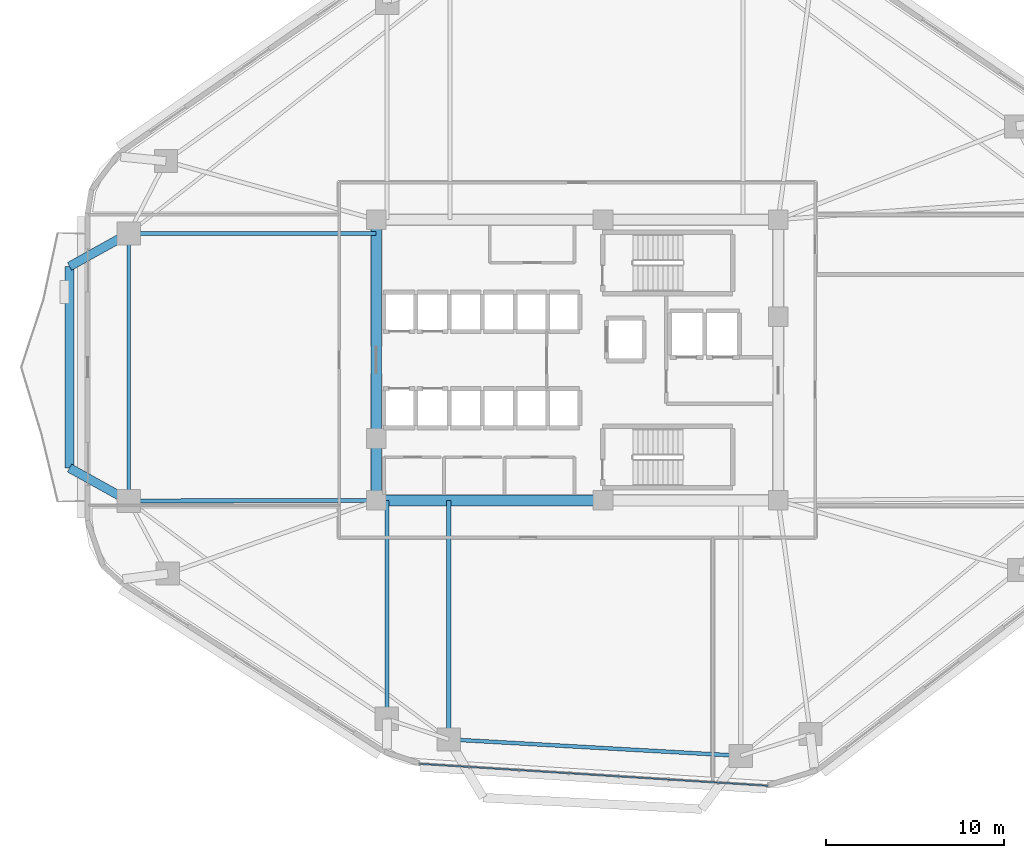
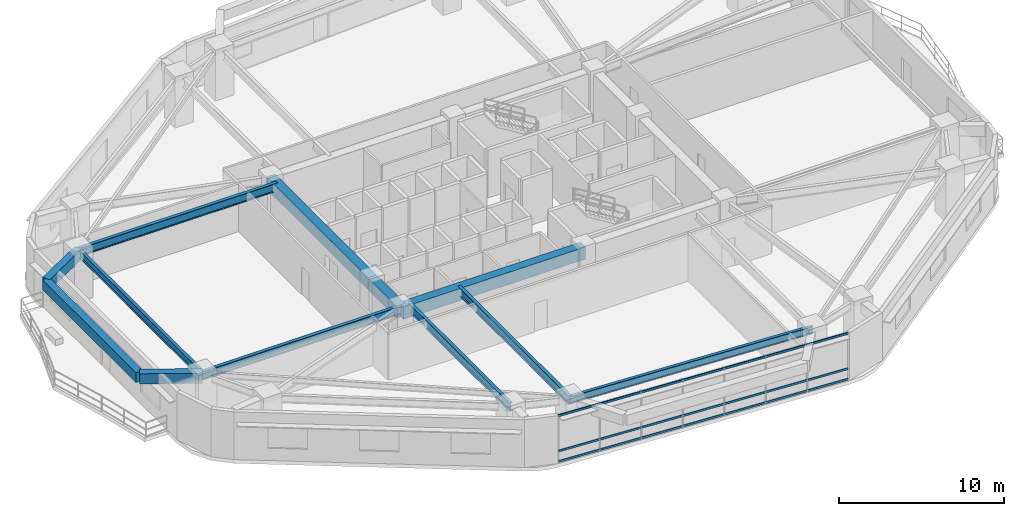
# One storey, part 4 of 13: 12 beams, 3 members, 1 element without a shape of its own.
"""IFC4 building model written with IfcOpenShell, lengths in metres."""

from ifc_helpers import new_model, si_unit, direction, frame, origin, origin_2d, place, context, subcontext, project, spatial, rectangle, hollow_rectangle, i_section, extrude, material, material_profile, profile_set, type_object, element, aggregate, save


model = new_model("IFC4")

# Units and contexts
model_context = context("Model", 3, precision=1e-05, world=origin(), true_north=direction((0.0, 1.0)))
body_context = subcontext(model_context, "Body", "Model", "MODEL_VIEW")
ifc_project = project(units=[si_unit("LENGTHUNIT", "METRE"), si_unit("AREAUNIT", "SQUARE_METRE"), si_unit("VOLUMEUNIT", "CUBIC_METRE"), si_unit("PLANEANGLEUNIT", "RADIAN"), si_unit("MASSUNIT", "GRAM", prefix="KILO")], contexts=[model_context])

# Site, building, storey
site_placement = place(None, origin())
site = spatial("IfcSite", under=ifc_project, at=site_placement, CompositionType="ELEMENT")
building_placement = place(site_placement, origin())
building = spatial("IfcBuilding", under=site, at=building_placement, Name="Zulverin Broadcast Headquarters", CompositionType="ELEMENT")
storey_placement = place(building_placement, frame((0.0, 0.0, 70.60009765625)))
storey = spatial("IfcBuildingStorey", under=building, at=storey_placement, Name="L17", CompositionType="ELEMENT", Elevation=70.60009765625)

# Beams
ifc_material_1 = material(Name="Concrete C60/75", Category="concrete")
ifc_material_profile_1 = material_profile(ifc_material_1, rectangle(XDim=0.60009765625, YDim=0.89990234375, at=origin_2d()), Name="Concrete C60/75", Category="concrete")
ifc_profile_set_1 = profile_set([ifc_material_profile_1], Name="Concrete C60/75")
beam_type_1 = type_object("IfcBeamType", Name="BM-CB-600x900", PredefinedType="LINTEL", material=ifc_profile_set_1)
beam_1_placement = place(storey_placement, frame((25.72509765625, 17.324951171875, 3.074951171875), z_axis=(1.0, 0.0, 0.0), x_axis=(0.0, 1.0, 0.0)))
element("IfcBeam", 1, at=beam_1_placement, inside=storey, type_object=beam_type_1, Name="L17 Core Coupling Girder K01-K02", PredefinedType="LINTEL", context=body_context, shape_type="SweptSolid", body=[
    extrude(rectangle(XDim=0.60009765625, YDim=0.89990234375, at=origin_2d()), origin(), (0.0, 0.0, 1.0), 12.724853515625),
])
beam_2_placement = place(storey_placement, frame((25.72509765625, 33.074951171875, 3.074951171875), z_axis=(0.0, -1.0, 0.0), x_axis=(1.0, 0.0, 0.0)))
element("IfcBeam", 2, at=beam_2_placement, inside=storey, type_object=beam_type_1, Name="L17 Core Coupling Girder K07-K08", PredefinedType="LINTEL", context=body_context, shape_type="SweptSolid", body=[
    extrude(rectangle(XDim=0.60009765625, YDim=0.89990234375, at=origin_2d()), origin(), (0.0, 0.0, 1.0), 12.27490234375),
])
beam_3_placement = place(storey_placement, frame((25.72509765625, 20.800048828125, 3.074951171875), z_axis=(0.0, -1.0, 0.0), x_axis=(1.0, 0.0, 0.0)))
element("IfcBeam", 3, at=beam_3_placement, inside=storey, type_object=beam_type_1, Name="L17 Core Coupling Girder K08-K01", PredefinedType="LINTEL", context=body_context, shape_type="SweptSolid", body=[
    extrude(rectangle(XDim=0.60009765625, YDim=0.89990234375, at=origin_2d()), origin(), (0.0, 0.0, 1.0), 3.47509765625),
])
ifc_material_2 = material(Name="Concrete C40/50", Category="concrete")
ifc_material_profile_2 = material_profile(ifc_material_2, rectangle(XDim=0.5, YDim=0.75, at=origin_2d()), Name="Concrete C40/50", Category="concrete")
ifc_profile_set_2 = profile_set([ifc_material_profile_2], Name="Concrete C40/50")
beam_type_2 = type_object("IfcBeamType", Name="BM-RC-500x750", PredefinedType="BEAM", material=ifc_profile_set_2)
beam_4_placement = place(storey_placement, frame((11.85009765625, 32.298095703125, 3.14990234375), z_axis=(-0.873763019306, -0.486351915893, 0.0), x_axis=(0.486351915893, -0.873763019306, 0.0)))
element("IfcBeam", 4, at=beam_4_placement, inside=storey, type_object=beam_type_2, Name="L18 Balcony Column-Framed Cantilever BAL_W-1", PredefinedType="BEAM", context=body_context, shape_type="SweptSolid", body=[
    extrude(rectangle(XDim=0.5, YDim=0.75, at=origin_2d()), origin(), (0.0, 0.0, 1.0), 3.800048828125),
])
beam_5_placement = place(storey_placement, frame((11.85009765625, 17.297607421875, 3.14990234375), z_axis=(-0.874363278793, 0.485271940975, 0.0), x_axis=(-0.485271940975, -0.874363278793, 0.0)))
element("IfcBeam", 5, at=beam_5_placement, inside=storey, type_object=beam_type_2, Name="L18 Balcony Column-Framed Cantilever BAL_W-2", PredefinedType="BEAM", context=body_context, shape_type="SweptSolid", body=[
    extrude(rectangle(XDim=0.5, YDim=0.75, at=origin_2d()), origin(), (0.0, 0.0, 1.0), 3.7998046875),
])
beam_6_placement = place(storey_placement, frame((8.52978515625, 30.449951171875, 3.14990234375), z_axis=(-0.000194304709, -0.999999981123, 0.0), x_axis=(0.999999981123, -0.000194304709, 0.0)))
element("IfcBeam", 6, at=beam_6_placement, inside=storey, type_object=beam_type_2, Name="L18 Balcony Outer Edge Trimmer Beam BAL_W", PredefinedType="BEAM", context=body_context, shape_type="SweptSolid", body=[
    extrude(rectangle(XDim=0.5, YDim=0.75, at=origin_2d()), origin(), (0.0, 0.0, 1.0), 11.308349609375),
])
ifc_material_3 = material(Name="Structural steel S355JR", Category="steel")
ifc_material_profile_3 = material_profile(ifc_material_3, i_section(OverallWidth=0.2119140625, OverallDepth=0.54443359375, WebThickness=0.0126953125, FlangeThickness=0.021240234375, at=origin_2d()), Name="Structural steel S355JR", Category="steel")
ifc_profile_set_3 = profile_set([ifc_material_profile_3], Name="Structural steel S355JR")
beam_type_3 = type_object("IfcBeamType", Name="BM-UB-533", PredefinedType="SPANDREL", material=ifc_profile_set_3)
beam_7_placement = place(storey_placement, frame((29.79638671875, 3.922119140625, 3.252685546875), z_axis=(0.998411385104, -0.056344530297, 0.0), x_axis=(0.056344530297, 0.998411385104, 0.0)))
element("IfcBeam", 7, at=beam_7_placement, inside=storey, type_object=beam_type_3, Name="L17 Perimeter Spandrel Beam SP-01", PredefinedType="SPANDREL", context=body_context, shape_type="SweptSolid", body=[
    extrude(i_section(OverallWidth=0.2119140625, OverallDepth=0.54443359375, WebThickness=0.0126953125, FlangeThickness=0.021240234375, at=origin_2d()), origin(), (0.0, 0.0, 1.0), 16.40478515625),
])
beam_8_placement = place(storey_placement, frame((11.85009765625, 32.298095703125, 3.252685546875), z_axis=(0.0, -1.0, 0.0), x_axis=(1.0, 0.0, 0.0)))
element("IfcBeam", 8, at=beam_8_placement, inside=storey, type_object=beam_type_3, Name="L17 Perimeter Spandrel Beam SP-13", PredefinedType="SPANDREL", context=body_context, shape_type="SweptSolid", body=[
    extrude(i_section(OverallWidth=0.2119140625, OverallDepth=0.54443359375, WebThickness=0.0126953125, FlangeThickness=0.021240234375, at=origin_2d()), origin(), (0.0, 0.0, 1.0), 15.00048828125),
])
ifc_material_profile_4 = material_profile(ifc_material_3, i_section(OverallWidth=0.230224609375, OverallDepth=0.6171875, WebThickness=0.01318359375, FlangeThickness=0.022216796875, at=origin_2d()), Name="Structural steel S355JR", Category="steel")
ifc_profile_set_4 = profile_set([ifc_material_profile_4], Name="Structural steel S355JR")
beam_type_4 = type_object("IfcBeamType", Name="BM-UB-610", PredefinedType="BEAM", material=ifc_profile_set_4)
beam_9_placement = place(storey_placement, frame((29.79638671875, 17.324951171875, 3.21630859375), z_axis=(0.0, -1.0, 0.0), x_axis=(1.0, 0.0, 0.0)))
element("IfcBeam", 9, at=beam_9_placement, inside=storey, type_object=beam_type_4, Name="L17 Radial Primary Floor Beam RB-01", PredefinedType="BEAM", context=body_context, shape_type="SweptSolid", body=[
    extrude(i_section(OverallWidth=0.230224609375, OverallDepth=0.6171875, WebThickness=0.01318359375, FlangeThickness=0.022216796875, at=origin_2d()), origin(), (0.0, 0.0, 1.0), 13.40283203125),
])
for number, where, z_axis, x_axis, name in (
    (10, (25.72509765625, 32.298095703125, 3.21630859375), (-1.0, 0.0, 0.0), (0.0, -1.0, 0.0), "L17 Radial Primary Floor Beam RB-13"),
    (11, (25.72509765625, 17.324951171875, 3.21630859375), (-0.999998058136, -0.001970716894, 0.0), (0.001970716894, -0.999998058136, 0.0), "L17 Radial Primary Floor Beam RB-14"),
):
    element("IfcBeam", number, at=place(storey_placement, frame(where, z_axis=z_axis, x_axis=x_axis)), inside=storey, type_object=beam_type_4, Name=name, PredefinedType="BEAM", context=body_context, shape_type="SweptSolid", body=[
        extrude(i_section(OverallWidth=0.230224609375, OverallDepth=0.6171875, WebThickness=0.01318359375, FlangeThickness=0.022216796875, at=origin_2d()), origin(), (0.0, 0.0, 1.0), 13.875),
    ])
beam_10_placement = place(storey_placement, frame((26.3251953125, 17.324951171875, 3.21630859375), z_axis=(0.0, -1.0, 0.0), x_axis=(1.0, 0.0, 0.0)))
element("IfcBeam", 12, at=beam_10_placement, inside=storey, type_object=beam_type_4, Name="L17 Radial Primary Floor Beam RB-16", PredefinedType="BEAM", context=body_context, shape_type="SweptSolid", body=[
    extrude(i_section(OverallWidth=0.230224609375, OverallDepth=0.6171875, WebThickness=0.01318359375, FlangeThickness=0.022216796875, at=origin_2d()), origin(), (0.0, 0.0, 1.0), 12.2490234375),
])

# Curtain wall, members
ifc_material_4 = material(Name="Low-zone ribbon unitised curtain wall", Category="aluminium")
curtain_wall_type = type_object("IfcCurtainWallType", Name="CW-TWR-LOW", PredefinedType="USERDEFINED", material=ifc_material_4)
curtain_wall_placement = place(storey_placement, origin())
curtain_wall = element("IfcCurtainWall", 13, at=curtain_wall_placement, inside=storey, type_object=curtain_wall_type, Name="L17 Unitised Curtain Wall CW-L17-E1", ObjectType="UNITISED CURTAIN WALL", PredefinedType="USERDEFINED")
ifc_material_5 = material(Name="Anodized pale-metal aluminium alloy 6063-T6", Category="aluminium")
ifc_material_profile_5 = material_profile(ifc_material_5, hollow_rectangle(XDim=0.074951171875, YDim=0.14990234375, WallThickness=0.0048828125, at=origin_2d()), Name="Anodized pale-metal aluminium alloy 6063-T6", Category="aluminium")
ifc_profile_set_5 = profile_set([ifc_material_profile_5], Name="Anodized pale-metal aluminium alloy 6063-T6")
member_type = type_object("IfcMemberType", Name="CW-TRN-150", PredefinedType="USERDEFINED", material=ifc_profile_set_5)
member_1_placement = place(storey_placement, frame((28.16015625, 2.55126953125, 0.074951171875), z_axis=(0.998017288298, -0.06294038654, 0.0), x_axis=(0.06294038654, 0.998017288298, 0.0)))
member_1 = element("IfcMember", 14, at=member_1_placement, type_object=member_type, Name="CW-L17-E1 Transom 0", ObjectType="TRANSOM", PredefinedType="USERDEFINED", context=body_context, shape_type="SweptSolid", body=[
    extrude(hollow_rectangle(XDim=0.074951171875, YDim=0.14990234375, WallThickness=0.0048828125, at=origin_2d()), origin(), (0.0, 0.0, 1.0), 19.576904296875),
])
member_2_placement = place(storey_placement, frame((28.16015625, 2.55126953125, 0.845947265625), z_axis=(0.998017288298, -0.06294038654, 0.0), x_axis=(0.06294038654, 0.998017288298, 0.0)))
member_2 = element("IfcMember", 15, at=member_2_placement, type_object=member_type, Name="CW-L17-E1 Transom 1", ObjectType="TRANSOM", PredefinedType="USERDEFINED", context=body_context, shape_type="SweptSolid", body=[
    extrude(hollow_rectangle(XDim=0.074951171875, YDim=0.14990234375, WallThickness=0.0048828125, at=origin_2d()), origin(), (0.0, 0.0, 1.0), 19.576904296875),
])
member_3_placement = place(storey_placement, frame((28.16015625, 2.55126953125, 3.449951171875), z_axis=(0.998017288298, -0.06294038654, 0.0), x_axis=(0.06294038654, 0.998017288298, 0.0)))
member_3 = element("IfcMember", 16, at=member_3_placement, type_object=member_type, Name="CW-L17-E1 Transom 2", ObjectType="TRANSOM", PredefinedType="USERDEFINED", context=body_context, shape_type="SweptSolid", body=[
    extrude(hollow_rectangle(XDim=0.074951171875, YDim=0.14990234375, WallThickness=0.0048828125, at=origin_2d()), origin(), (0.0, 0.0, 1.0), 19.576904296875),
])
aggregate(curtain_wall, [member_1, member_2, member_3])

save(model, "model.ifc")
